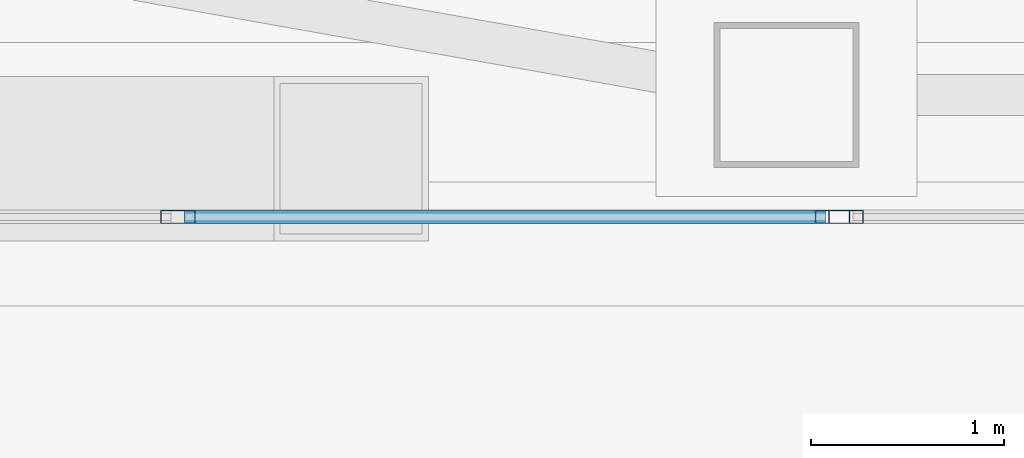
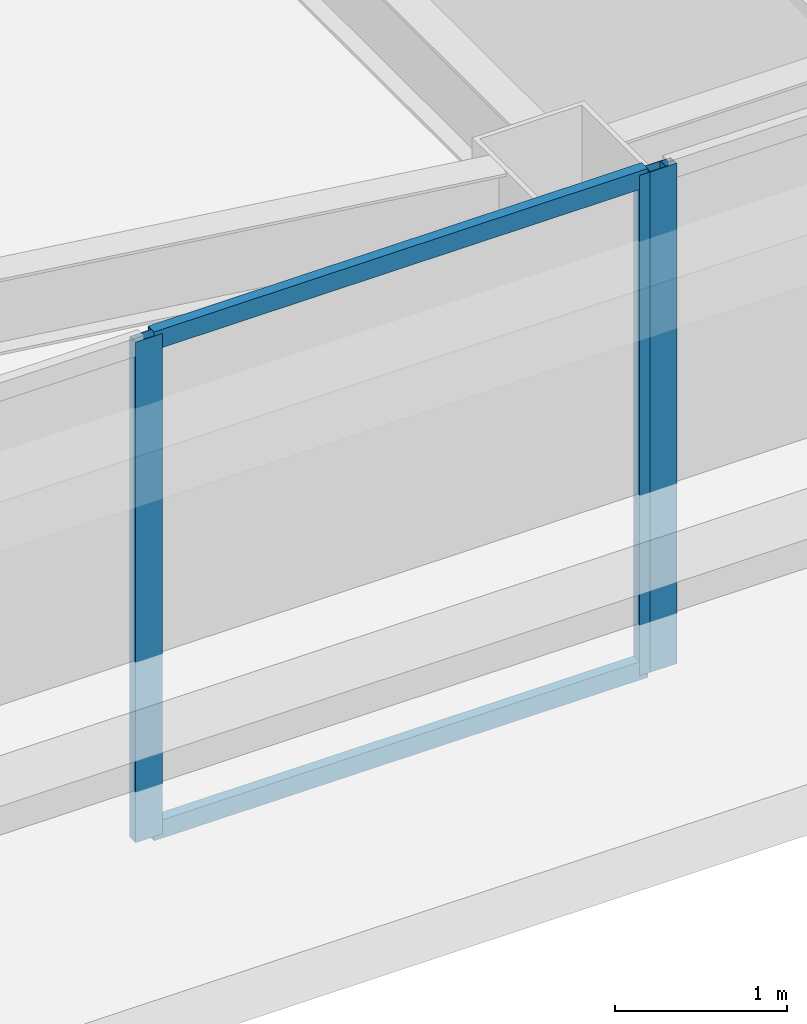
# One storey, part 5 of 65: 5 members, 2 elements without a shape of their own.
"""IFC4 building model written with IfcOpenShell, lengths in metres."""

from ifc_helpers import new_model, si_unit, direction, frame, origin, origin_2d, place, context, subcontext, project, spatial, hollow_rectangle, extrude, material, material_profile, profile_set, type_object, element, aggregate, save


model = new_model("IFC4")

# Units and contexts
model_context = context("Model", 3, precision=1e-05, world=origin(), true_north=direction((0.0, 1.0)))
body_context = subcontext(model_context, "Body", "Model", "MODEL_VIEW")
ifc_project = project(units=[si_unit("LENGTHUNIT", "METRE"), si_unit("AREAUNIT", "SQUARE_METRE"), si_unit("VOLUMEUNIT", "CUBIC_METRE"), si_unit("PLANEANGLEUNIT", "RADIAN"), si_unit("MASSUNIT", "GRAM", prefix="KILO")], contexts=[model_context])

# Site, building, storey
site_placement = place(None, origin())
site = spatial("IfcSite", under=ifc_project, at=site_placement, CompositionType="ELEMENT")
building_placement = place(site_placement, origin())
building = spatial("IfcBuilding", under=site, at=building_placement, Name="Tashvorn Skyway Center", CompositionType="ELEMENT")
storey_placement = place(building_placement, frame((0.0, 0.0, 157.0)))
storey = spatial("IfcBuildingStorey", under=building, at=storey_placement, Name="L42", CompositionType="ELEMENT", Elevation=157.0)

# Curtain wall, member
ifc_material = material(Name="Thermally broken bronze-anodized aluminium 6063-T6", Category="aluminium")
curtain_wall_type = type_object("IfcCurtainWallType", Name="CW-CW-Z4", PredefinedType="NOTDEFINED", material=ifc_material)
curtain_wall_1_placement = place(storey_placement, origin())
curtain_wall_1 = element("IfcCurtainWall", 1, at=curtain_wall_1_placement, inside=storey, type_object=curtain_wall_type, Name="Tower 1 L42 South Unitised Curtain Wall Glazing Group 2", PredefinedType="NOTDEFINED")
ifc_material_profile_1 = material_profile(ifc_material, hollow_rectangle(XDim=0.070068359375, YDim=0.179931640625, WallThickness=0.00390625, at=origin_2d()), Name="ALU-MULL-70x180")
ifc_profile_set_1 = profile_set([ifc_material_profile_1], Name="Thermally broken bronze-anodized aluminium 6063-T6")
member_type_1 = type_object("IfcMemberType", Name="CWM-CW-Z4", PredefinedType="MULLION", material=ifc_profile_set_1)
member_1_placement = place(storey_placement, frame((36.908203125, 14.320068359375, 0.0), z_axis=(0.0, 0.0, 1.0), x_axis=(0.0, -1.0, 0.0)))
member_1 = element("IfcMember", 2, at=member_1_placement, type_object=member_type_1, Name="CW-Z4 mullion 2", PredefinedType="MULLION", context=body_context, shape_type="SweptSolid", body=[
    extrude(hollow_rectangle(XDim=0.070068359375, YDim=0.179931640625, WallThickness=0.00390625, at=origin_2d()), origin(), (0.0, 0.0, 1.0), 3.550048828125),
])
aggregate(curtain_wall_1, [member_1])

# Curtain wall, members
curtain_wall_2_placement = place(storey_placement, origin())
curtain_wall_2 = element("IfcCurtainWall", 3, at=curtain_wall_2_placement, inside=storey, type_object=curtain_wall_type, Name="Tower 1 L42 South Unitised Curtain Wall Glazing Group 3", PredefinedType="NOTDEFINED")
member_2_placement = place(storey_placement, frame((36.83837890625, 14.320068359375, 0.0), z_axis=(0.0, 0.0, 1.0), x_axis=(0.0, -1.0, 0.0)))
member_2 = element("IfcMember", 4, at=member_2_placement, type_object=member_type_1, Name="CW-Z4 mullion 1", PredefinedType="MULLION", context=body_context, shape_type="SweptSolid", body=[
    extrude(hollow_rectangle(XDim=0.070068359375, YDim=0.179931640625, WallThickness=0.00390625, at=origin_2d()), origin(), (0.0, 0.0, 1.0), 3.550048828125),
])
member_3_placement = place(storey_placement, frame((33.45556640625, 14.320068359375, 0.0), z_axis=(0.0, 0.0, 1.0), x_axis=(0.0, -1.0, 0.0)))
member_3 = element("IfcMember", 5, at=member_3_placement, type_object=member_type_1, Name="CW-Z4 mullion 2", PredefinedType="MULLION", context=body_context, shape_type="SweptSolid", body=[
    extrude(hollow_rectangle(XDim=0.070068359375, YDim=0.179931640625, WallThickness=0.00390625, at=origin_2d()), origin(), (0.0, 0.0, 1.0), 3.550048828125),
])
ifc_material_profile_2 = material_profile(ifc_material, hollow_rectangle(XDim=0.070068359375, YDim=0.1298828125, WallThickness=0.00390625, at=origin_2d()), Name="ALU-TRAN-70x130")
ifc_profile_set_2 = profile_set([ifc_material_profile_2], Name="Thermally broken bronze-anodized aluminium 6063-T6")
member_type_2 = type_object("IfcMemberType", Name="CWT-CW-Z4", PredefinedType="USERDEFINED", material=ifc_profile_set_2)
member_4_placement = place(storey_placement, frame((36.80322265625, 14.320068359375, 0.034912109375), z_axis=(-1.0, 0.0, 0.0), x_axis=(0.0, -1.0, 0.0)))
member_4 = element("IfcMember", 6, at=member_4_placement, type_object=member_type_2, Name="CW-Z4 transom 1.1", ObjectType="TRANSOM", PredefinedType="USERDEFINED", context=body_context, shape_type="SweptSolid", body=[
    extrude(hollow_rectangle(XDim=0.070068359375, YDim=0.1298828125, WallThickness=0.00390625, at=origin_2d()), origin(), (0.0, 0.0, 1.0), 3.312744140625),
])
member_5_placement = place(storey_placement, frame((36.80322265625, 14.320068359375, 3.514892578125), z_axis=(-1.0, 0.0, 0.0), x_axis=(0.0, -1.0, 0.0)))
member_5 = element("IfcMember", 7, at=member_5_placement, type_object=member_type_2, Name="CW-Z4 transom 1.2", ObjectType="TRANSOM", PredefinedType="USERDEFINED", context=body_context, shape_type="SweptSolid", body=[
    extrude(hollow_rectangle(XDim=0.070068359375, YDim=0.1298828125, WallThickness=0.00390625, at=origin_2d()), origin(), (0.0, 0.0, 1.0), 3.312744140625),
])
aggregate(curtain_wall_2, [member_2, member_3, member_4, member_5])

save(model, "model.ifc")
